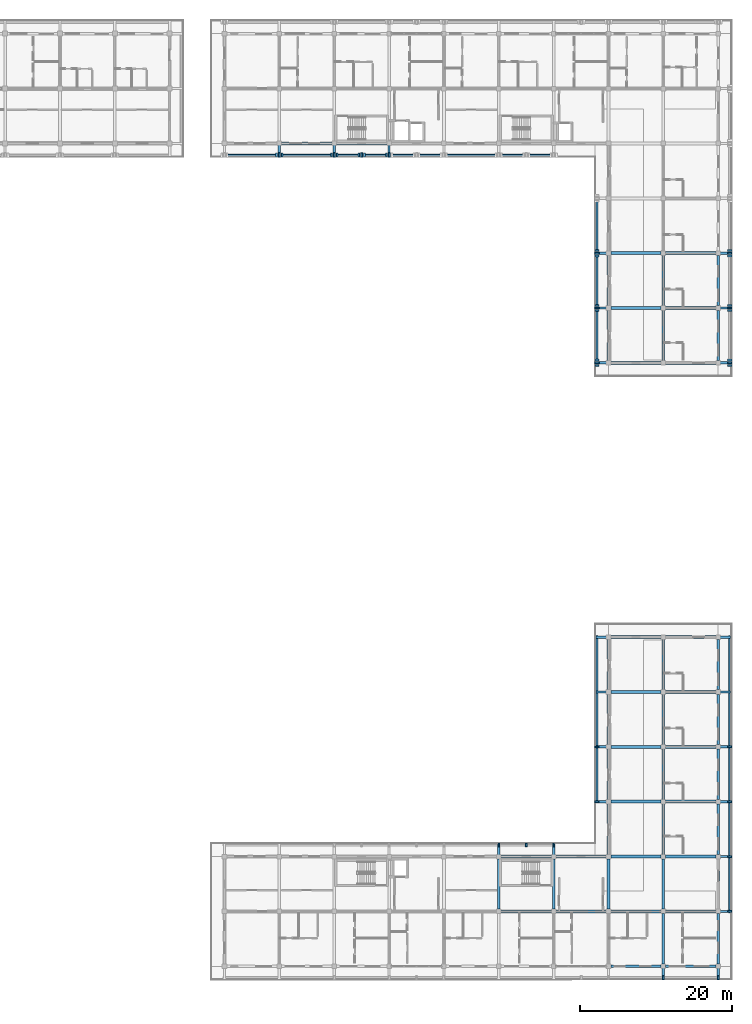
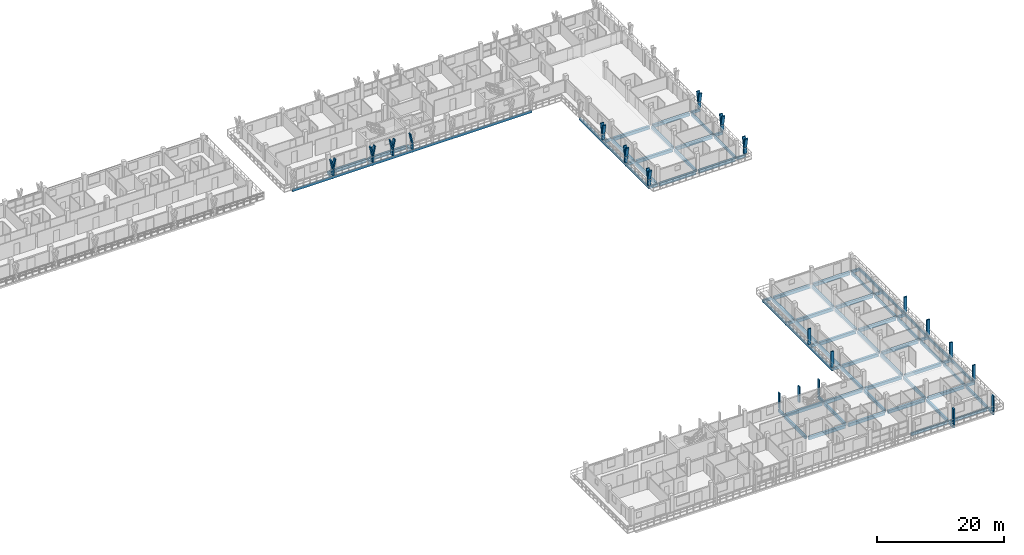
# One storey, part 29 of 78: 78 beams, 40 members.
"""IFC4 building model written with IfcOpenShell, lengths in metres."""

from ifc_helpers import new_model, si_unit, direction, frame, origin, origin_2d, place, context, subcontext, project, spatial, rectangle, extrude, material, material_profile, profile_set, type_object, element, save


model = new_model("IFC4")

# Units and contexts
model_context = context("Model", 3, precision=1e-05, world=origin(), true_north=direction((0.0, 1.0)))
body_context = subcontext(model_context, "Body", "Model", "MODEL_VIEW")
ifc_project = project(units=[si_unit("LENGTHUNIT", "METRE"), si_unit("AREAUNIT", "SQUARE_METRE"), si_unit("VOLUMEUNIT", "CUBIC_METRE"), si_unit("PLANEANGLEUNIT", "RADIAN"), si_unit("MASSUNIT", "GRAM", prefix="KILO")], contexts=[model_context])

# Site, building, storey
site_placement = place(None, origin())
site = spatial("IfcSite", under=ifc_project, at=site_placement, CompositionType="ELEMENT")
building_placement = place(site_placement, origin())
building = spatial("IfcBuilding", under=site, at=building_placement, Name="Suanplinth Sawtooth Commons", CompositionType="ELEMENT")
storey_placement = place(building_placement, frame((0.0, 0.0, 15.39990234375)))
storey = spatial("IfcBuildingStorey", under=building, at=storey_placement, Name="L04", CompositionType="ELEMENT", Elevation=15.39990234375)

# Beams
ifc_material_1 = material(Name="Precast concrete C40/50", Category="concrete")
ifc_material_profile_1 = material_profile(ifc_material_1, rectangle(XDim=0.39990234375, YDim=0.60009765625, at=origin_2d()), Name="PC-GDR 400x600")
ifc_profile_set_1 = profile_set([ifc_material_profile_1], Name="Precast concrete C40/50")
beam_type_1 = type_object("IfcBeamType", Name="B-05", PredefinedType="USERDEFINED", material=ifc_profile_set_1)
beam_1_placement = place(storey_placement, frame((129.89990234375, 108.0, -0.52001953125), z_axis=(1.0, 0.0, 0.0), x_axis=(0.0, 1.0, 0.0)))
element("IfcBeam", 1, at=beam_1_placement, inside=storey, type_object=beam_type_1, Name="BMX-L04-B-18-15", ObjectType="GIRDER", PredefinedType="USERDEFINED", context=body_context, shape_type="SweptSolid", body=[
    extrude(rectangle(XDim=0.39990234375, YDim=0.60009765625, at=origin_2d()), origin(), (0.0, 0.0, 1.0), 6.60009765625),
])
for number, where, z_axis, x_axis, name in (
    (2, (137.10009765625, 108.0, -0.52001953125), (1.0, 0.0, 0.0), (0.0, 1.0, 0.0), "BMX-L04-B-19-15"),
    (3, (173.10009765625, 79.199951171875, -0.52001953125), (1.0, 0.0, 0.0), (0.0, 1.0, 0.0), "BMX-L04-B-24-11"),
    (4, (173.10009765625, 86.39990234375, -0.52001953125), (1.0, 0.0, 0.0), (0.0, 1.0, 0.0), "BMX-L04-B-24-12"),
    (5, (173.10009765625, 93.60009765625, -0.52001953125), (1.0, 0.0, 0.0), (0.0, 1.0, 0.0), "BMX-L04-B-24-13"),
    (6, (180.300048828125, 79.199951171875, -0.52001953125), (1.0, 0.0, 0.0), (0.0, 1.0, 0.0), "BMX-L04-B-25-11"),
    (7, (180.300048828125, 86.39990234375, -0.52001953125), (1.0, 0.0, 0.0), (0.0, 1.0, 0.0), "BMX-L04-B-25-12"),
    (8, (180.300048828125, 93.60009765625, -0.52001953125), (1.0, 0.0, 0.0), (0.0, 1.0, 0.0), "BMX-L04-B-25-13"),
):
    element("IfcBeam", number, at=place(storey_placement, frame(where, z_axis=z_axis, x_axis=x_axis)), inside=storey, type_object=beam_type_1, Name=name, ObjectType="GIRDER", PredefinedType="USERDEFINED", context=body_context, shape_type="SweptSolid", body=[
        extrude(rectangle(XDim=0.39990234375, YDim=0.60009765625, at=origin_2d()), origin(), (0.0, 0.0, 1.0), 6.599853515625),
    ])
for number, where, z_axis, x_axis, name in (
    (9, (158.699951171875, 7.199951171875, -0.52001953125), (1.0, 0.0, 0.0), (0.0, 1.0, 0.0), "BMX-L04-C-22-1"),
    (10, (158.699951171875, 14.39990234375, -0.52001953125), (1.0, 0.0, 0.0), (0.0, 1.0, 0.0), "BMX-L04-C-22-2"),
    (11, (165.89990234375, 7.199951171875, -0.52001953125), (1.0, 0.0, 0.0), (0.0, 1.0, 0.0), "BMX-L04-C-23-1"),
    (12, (165.89990234375, 14.39990234375, -0.52001953125), (1.0, 0.0, 0.0), (0.0, 1.0, 0.0), "BMX-L04-C-23-2"),
):
    element("IfcBeam", number, at=place(storey_placement, frame(where, z_axis=z_axis, x_axis=x_axis)), inside=storey, type_object=beam_type_1, Name=name, ObjectType="GIRDER", PredefinedType="USERDEFINED", context=body_context, shape_type="SweptSolid", body=[
        extrude(rectangle(XDim=0.39990234375, YDim=0.60009765625, at=origin_2d()), origin(), (0.0, 0.0, 1.0), 6.60009765625),
    ])
for number, where, z_axis, x_axis, name in (
    (13, (173.10009765625, 7.199951171875, -0.52001953125), (1.0, 0.0, 0.0), (0.0, 1.0, 0.0), "BMX-L04-C-24-1"),
    (14, (173.10009765625, 14.39990234375, -0.52001953125), (1.0, 0.0, 0.0), (0.0, 1.0, 0.0), "BMX-L04-C-24-2"),
    (15, (173.10009765625, 21.60009765625, -0.52001953125), (1.0, 0.0, 0.0), (0.0, 1.0, 0.0), "BMX-L04-C-24-3"),
    (16, (173.10009765625, 28.800048828125, -0.52001953125), (1.0, 0.0, 0.0), (0.0, 1.0, 0.0), "BMX-L04-C-24-4"),
    (17, (173.10009765625, 36.0, -0.52001953125), (1.0, 0.0, 0.0), (0.0, 1.0, 0.0), "BMX-L04-C-24-5"),
    (18, (173.10009765625, 43.199951171875, -0.52001953125), (1.0, 0.0, 0.0), (0.0, 1.0, 0.0), "BMX-L04-C-24-6"),
    (19, (180.300048828125, 7.199951171875, -0.52001953125), (1.0, 0.0, 0.0), (0.0, 1.0, 0.0), "BMX-L04-C-25-1"),
    (20, (180.300048828125, 14.39990234375, -0.52001953125), (1.0, 0.0, 0.0), (0.0, 1.0, 0.0), "BMX-L04-C-25-2"),
    (21, (180.300048828125, 21.60009765625, -0.52001953125), (1.0, 0.0, 0.0), (0.0, 1.0, 0.0), "BMX-L04-C-25-3"),
    (22, (180.300048828125, 28.800048828125, -0.52001953125), (1.0, 0.0, 0.0), (0.0, 1.0, 0.0), "BMX-L04-C-25-4"),
    (23, (180.300048828125, 36.0, -0.52001953125), (1.0, 0.0, 0.0), (0.0, 1.0, 0.0), "BMX-L04-C-25-5"),
    (24, (180.300048828125, 43.199951171875, -0.52001953125), (1.0, 0.0, 0.0), (0.0, 1.0, 0.0), "BMX-L04-C-25-6"),
):
    element("IfcBeam", number, at=place(storey_placement, frame(where, z_axis=z_axis, x_axis=x_axis)), inside=storey, type_object=beam_type_1, Name=name, ObjectType="GIRDER", PredefinedType="USERDEFINED", context=body_context, shape_type="SweptSolid", body=[
        extrude(rectangle(XDim=0.39990234375, YDim=0.60009765625, at=origin_2d()), origin(), (0.0, 0.0, 1.0), 6.599853515625),
    ])
ifc_material_profile_2 = material_profile(ifc_material_1, rectangle(XDim=0.35009765625, YDim=0.550048828125, at=origin_2d()), Name="PC-BM 350x550")
ifc_profile_set_2 = profile_set([ifc_material_profile_2], Name="Precast concrete C40/50")
beam_type_2 = type_object("IfcBeamType", Name="B-06", PredefinedType="BEAM", material=ifc_profile_set_2)
for number, where, z_axis, x_axis, name in (
    (25, (172.800048828125, 79.5, -0.494873046875), (0.0, 1.0, 0.0), (-1.0, 0.0, 0.0), "BMY-L04-B-24-11"),
    (26, (172.800048828125, 86.699951171875, -0.494873046875), (0.0, 1.0, 0.0), (-1.0, 0.0, 0.0), "BMY-L04-B-24-12"),
    (27, (180.0, 79.5, -0.494873046875), (0.0, 1.0, 0.0), (-1.0, 0.0, 0.0), "BMY-L04-B-25-11"),
    (28, (180.0, 86.699951171875, -0.494873046875), (0.0, 1.0, 0.0), (-1.0, 0.0, 0.0), "BMY-L04-B-25-12"),
    (29, (158.39990234375, 7.5, -0.494873046875), (0.0, 1.0, 0.0), (-1.0, 0.0, 0.0), "BMY-L04-C-22-1"),
    (30, (165.60009765625, 7.5, -0.494873046875), (0.0, 1.0, 0.0), (-1.0, 0.0, 0.0), "BMY-L04-C-23-1"),
    (31, (172.800048828125, 7.5, -0.494873046875), (0.0, 1.0, 0.0), (-1.0, 0.0, 0.0), "BMY-L04-C-24-1"),
    (32, (172.800048828125, 14.699951171875, -0.494873046875), (0.0, 1.0, 0.0), (-1.0, 0.0, 0.0), "BMY-L04-C-24-2"),
    (33, (172.800048828125, 21.89990234375, -0.494873046875), (0.0, 1.0, 0.0), (-1.0, 0.0, 0.0), "BMY-L04-C-24-3"),
):
    element("IfcBeam", number, at=place(storey_placement, frame(where, z_axis=z_axis, x_axis=x_axis)), inside=storey, type_object=beam_type_2, Name=name, PredefinedType="BEAM", context=body_context, shape_type="SweptSolid", body=[
        extrude(rectangle(XDim=0.35009765625, YDim=0.550048828125, at=origin_2d()), origin(), (0.0, 0.0, 1.0), 6.60009765625),
    ])
for number, where, z_axis, x_axis, name in (
    (34, (172.800048828125, 29.10009765625, -0.494873046875), (0.0, 1.0, 0.0), (-1.0, 0.0, 0.0), "BMY-L04-C-24-4"),
    (35, (172.800048828125, 36.300048828125, -0.494873046875), (0.0, 1.0, 0.0), (-1.0, 0.0, 0.0), "BMY-L04-C-24-5"),
    (36, (180.0, 0.300048828125, -0.494873046875), (0.0, 1.0, 0.0), (-1.0, 0.0, 0.0), "BMY-L04-C-25-0"),
):
    element("IfcBeam", number, at=place(storey_placement, frame(where, z_axis=z_axis, x_axis=x_axis)), inside=storey, type_object=beam_type_2, Name=name, PredefinedType="BEAM", context=body_context, shape_type="SweptSolid", body=[
        extrude(rectangle(XDim=0.35009765625, YDim=0.550048828125, at=origin_2d()), origin(), (0.0, 0.0, 1.0), 6.599853515625),
    ])
for number, where, z_axis, x_axis, name in (
    (37, (180.0, 7.5, -0.494873046875), (0.0, 1.0, 0.0), (-1.0, 0.0, 0.0), "BMY-L04-C-25-1"),
    (38, (180.0, 14.699951171875, -0.494873046875), (0.0, 1.0, 0.0), (-1.0, 0.0, 0.0), "BMY-L04-C-25-2"),
    (39, (180.0, 21.89990234375, -0.494873046875), (0.0, 1.0, 0.0), (-1.0, 0.0, 0.0), "BMY-L04-C-25-3"),
):
    element("IfcBeam", number, at=place(storey_placement, frame(where, z_axis=z_axis, x_axis=x_axis)), inside=storey, type_object=beam_type_2, Name=name, PredefinedType="BEAM", context=body_context, shape_type="SweptSolid", body=[
        extrude(rectangle(XDim=0.35009765625, YDim=0.550048828125, at=origin_2d()), origin(), (0.0, 0.0, 1.0), 6.60009765625),
    ])
for number, where, z_axis, x_axis, name in (
    (40, (180.0, 29.10009765625, -0.494873046875), (0.0, 1.0, 0.0), (-1.0, 0.0, 0.0), "BMY-L04-C-25-4"),
    (41, (180.0, 36.300048828125, -0.494873046875), (0.0, 1.0, 0.0), (-1.0, 0.0, 0.0), "BMY-L04-C-25-5"),
):
    element("IfcBeam", number, at=place(storey_placement, frame(where, z_axis=z_axis, x_axis=x_axis)), inside=storey, type_object=beam_type_2, Name=name, PredefinedType="BEAM", context=body_context, shape_type="SweptSolid", body=[
        extrude(rectangle(XDim=0.35009765625, YDim=0.550048828125, at=origin_2d()), origin(), (0.0, 0.0, 1.0), 6.599853515625),
    ])
ifc_material_profile_3 = material_profile(ifc_material_1, rectangle(XDim=0.300048828125, YDim=0.5, at=origin_2d()), Name="PC-BM 300x500")
ifc_profile_set_3 = profile_set([ifc_material_profile_3], Name="Precast concrete C40/50")
beam_type_3 = type_object("IfcBeamType", Name="B-07", PredefinedType="BEAM", material=ifc_profile_set_3)
for number, where, z_axis, x_axis, name in (
    (42, (187.199951171875, 79.199951171875, -0.429931640625), (1.0, 0.0, 0.0), (0.0, 1.0, 0.0), "Balcony Outrigger L04-B-E-11"),
    (43, (187.199951171875, 86.39990234375, -0.429931640625), (1.0, 0.0, 0.0), (0.0, 1.0, 0.0), "Balcony Outrigger L04-B-E-12"),
    (44, (187.199951171875, 93.60009765625, -0.429931640625), (1.0, 0.0, 0.0), (0.0, 1.0, 0.0), "Balcony Outrigger L04-B-E-13"),
):
    element("IfcBeam", number, at=place(storey_placement, frame(where, z_axis=z_axis, x_axis=x_axis)), inside=storey, type_object=beam_type_3, Name=name, PredefinedType="BEAM", context=body_context, shape_type="SweptSolid", body=[
        extrude(rectangle(XDim=0.300048828125, YDim=0.5, at=origin_2d()), origin(), (0.0, 0.0, 1.0), 1.64013671875),
    ])
for number, where, z_axis, x_axis, name in (
    (45, (129.60009765625, 108.0, -0.4248046875), (0.0, -1.0, 0.0), (1.0, 0.0, 0.0), "Balcony Outrigger L04-B-SC-18"),
    (46, (136.800048828125, 108.0, -0.4248046875), (0.0, -1.0, 0.0), (1.0, 0.0, 0.0), "Balcony Outrigger L04-B-SC-19"),
    (47, (144.0, 108.0, -0.4248046875), (0.0, -1.0, 0.0), (1.0, 0.0, 0.0), "Balcony Outrigger L04-B-SC-20"),
):
    element("IfcBeam", number, at=place(storey_placement, frame(where, z_axis=z_axis, x_axis=x_axis)), inside=storey, type_object=beam_type_3, Name=name, PredefinedType="BEAM", context=body_context, shape_type="SweptSolid", body=[
        extrude(rectangle(XDim=0.300048828125, YDim=0.5, at=origin_2d()), origin(), (0.0, 0.0, 1.0), 1.639892578125),
    ])
for number, where, z_axis, x_axis, name in (
    (48, (172.800048828125, 79.199951171875, -0.4248046875), (-1.0, 0.0, 0.0), (0.0, -1.0, 0.0), "Balcony Outrigger L04-B-WC-11"),
    (49, (172.800048828125, 86.39990234375, -0.4248046875), (-1.0, 0.0, 0.0), (0.0, -1.0, 0.0), "Balcony Outrigger L04-B-WC-12"),
    (50, (172.800048828125, 93.60009765625, -0.4248046875), (-1.0, 0.0, 0.0), (0.0, -1.0, 0.0), "Balcony Outrigger L04-B-WC-13"),
):
    element("IfcBeam", number, at=place(storey_placement, frame(where, z_axis=z_axis, x_axis=x_axis)), inside=storey, type_object=beam_type_3, Name=name, PredefinedType="BEAM", context=body_context, shape_type="SweptSolid", body=[
        extrude(rectangle(XDim=0.300048828125, YDim=0.5, at=origin_2d()), origin(), (0.0, 0.0, 1.0), 1.64013671875),
    ])
for number, where, z_axis, x_axis, name in (
    (51, (180.0, 0.0, -0.429931640625), (0.0, -1.0, 0.0), (1.0, 0.0, 0.0), "Balcony Outrigger L04-C-S-25"),
    (52, (187.199951171875, 0.0, -0.429931640625), (0.0, -1.0, 0.0), (1.0, 0.0, 0.0), "Balcony Outrigger L04-C-S-26"),
):
    element("IfcBeam", number, at=place(storey_placement, frame(where, z_axis=z_axis, x_axis=x_axis)), inside=storey, type_object=beam_type_3, Name=name, PredefinedType="BEAM", context=body_context, shape_type="SweptSolid", body=[
        extrude(rectangle(XDim=0.300048828125, YDim=0.5, at=origin_2d()), origin(), (0.0, 0.0, 1.0), 1.639892578125),
    ])
for number, where, z_axis, x_axis, name in (
    (53, (187.199951171875, 7.199951171875, -0.429931640625), (1.0, 0.0, 0.0), (0.0, 1.0, 0.0), "Balcony Outrigger L04-C-E-1"),
    (54, (187.199951171875, 14.39990234375, -0.429931640625), (1.0, 0.0, 0.0), (0.0, 1.0, 0.0), "Balcony Outrigger L04-C-E-2"),
    (55, (187.199951171875, 21.60009765625, -0.429931640625), (1.0, 0.0, 0.0), (0.0, 1.0, 0.0), "Balcony Outrigger L04-C-E-3"),
    (56, (187.199951171875, 28.800048828125, -0.429931640625), (1.0, 0.0, 0.0), (0.0, 1.0, 0.0), "Balcony Outrigger L04-C-E-4"),
    (57, (187.199951171875, 36.0, -0.429931640625), (1.0, 0.0, 0.0), (0.0, 1.0, 0.0), "Balcony Outrigger L04-C-E-5"),
    (58, (187.199951171875, 43.199951171875, -0.429931640625), (1.0, 0.0, 0.0), (0.0, 1.0, 0.0), "Balcony Outrigger L04-C-E-6"),
    (59, (158.39990234375, 14.39990234375, -0.4248046875), (0.0, 1.0, 0.0), (-1.0, 0.0, 0.0), "Balcony Outrigger L04-C-NC-22"),
    (60, (165.60009765625, 14.39990234375, -0.4248046875), (0.0, 1.0, 0.0), (-1.0, 0.0, 0.0), "Balcony Outrigger L04-C-NC-23"),
    (61, (172.800048828125, 21.60009765625, -0.4248046875), (-1.0, 0.0, 0.0), (0.0, -1.0, 0.0), "Balcony Outrigger L04-C-WC-3"),
    (62, (172.800048828125, 28.800048828125, -0.4248046875), (-1.0, 0.0, 0.0), (0.0, -1.0, 0.0), "Balcony Outrigger L04-C-WC-4"),
    (63, (172.800048828125, 36.0, -0.4248046875), (-1.0, 0.0, 0.0), (0.0, -1.0, 0.0), "Balcony Outrigger L04-C-WC-5"),
    (64, (172.800048828125, 43.199951171875, -0.4248046875), (-1.0, 0.0, 0.0), (0.0, -1.0, 0.0), "Balcony Outrigger L04-C-WC-6"),
):
    element("IfcBeam", number, at=place(storey_placement, frame(where, z_axis=z_axis, x_axis=x_axis)), inside=storey, type_object=beam_type_3, Name=name, PredefinedType="BEAM", context=body_context, shape_type="SweptSolid", body=[
        extrude(rectangle(XDim=0.300048828125, YDim=0.5, at=origin_2d()), origin(), (0.0, 0.0, 1.0), 1.64013671875),
    ])
ifc_material_profile_4 = material_profile(ifc_material_1, rectangle(XDim=0.280029296875, YDim=0.52001953125, at=origin_2d()), Name="PC-SP 280x520")
ifc_profile_set_4 = profile_set([ifc_material_profile_4], Name="Precast concrete C40/50")
beam_type_4 = type_object("IfcBeamType", Name="B-08", PredefinedType="SPANDREL", material=ifc_profile_set_4)
for number, where, z_axis, x_axis, name in (
    (65, (187.199951171875, 79.5, -0.47998046875), (0.0, 1.0, 0.0), (-1.0, 0.0, 0.0), "BMY-L04-B-26-11"),
    (66, (187.199951171875, 86.699951171875, -0.47998046875), (0.0, 1.0, 0.0), (-1.0, 0.0, 0.0), "BMY-L04-B-26-12"),
):
    element("IfcBeam", number, at=place(storey_placement, frame(where, z_axis=z_axis, x_axis=x_axis)), inside=storey, type_object=beam_type_4, Name=name, PredefinedType="SPANDREL", context=body_context, shape_type="SweptSolid", body=[
        extrude(rectangle(XDim=0.280029296875, YDim=0.52001953125, at=origin_2d()), origin(), (0.0, 0.0, 1.0), 6.60009765625),
    ])
for number, where, z_axis, x_axis, name in (
    (67, (173.10009765625, 0.0, -0.47998046875), (1.0, 0.0, 0.0), (0.0, 1.0, 0.0), "BMX-L04-C-24-0"),
    (68, (180.300048828125, 0.0, -0.47998046875), (1.0, 0.0, 0.0), (0.0, 1.0, 0.0), "BMX-L04-C-25-0"),
    (69, (187.199951171875, 0.300048828125, -0.47998046875), (0.0, 1.0, 0.0), (-1.0, 0.0, 0.0), "BMY-L04-C-26-0"),
):
    element("IfcBeam", number, at=place(storey_placement, frame(where, z_axis=z_axis, x_axis=x_axis)), inside=storey, type_object=beam_type_4, Name=name, PredefinedType="SPANDREL", context=body_context, shape_type="SweptSolid", body=[
        extrude(rectangle(XDim=0.280029296875, YDim=0.52001953125, at=origin_2d()), origin(), (0.0, 0.0, 1.0), 6.599853515625),
    ])
for number, where, z_axis, x_axis, name in (
    (70, (187.199951171875, 7.5, -0.47998046875), (0.0, 1.0, 0.0), (-1.0, 0.0, 0.0), "BMY-L04-C-26-1"),
    (71, (187.199951171875, 14.699951171875, -0.47998046875), (0.0, 1.0, 0.0), (-1.0, 0.0, 0.0), "BMY-L04-C-26-2"),
    (72, (187.199951171875, 21.89990234375, -0.47998046875), (0.0, 1.0, 0.0), (-1.0, 0.0, 0.0), "BMY-L04-C-26-3"),
):
    element("IfcBeam", number, at=place(storey_placement, frame(where, z_axis=z_axis, x_axis=x_axis)), inside=storey, type_object=beam_type_4, Name=name, PredefinedType="SPANDREL", context=body_context, shape_type="SweptSolid", body=[
        extrude(rectangle(XDim=0.280029296875, YDim=0.52001953125, at=origin_2d()), origin(), (0.0, 0.0, 1.0), 6.60009765625),
    ])
for number, where, z_axis, x_axis, name in (
    (73, (187.199951171875, 29.10009765625, -0.47998046875), (0.0, 1.0, 0.0), (-1.0, 0.0, 0.0), "BMY-L04-C-26-4"),
    (74, (187.199951171875, 36.300048828125, -0.47998046875), (0.0, 1.0, 0.0), (-1.0, 0.0, 0.0), "BMY-L04-C-26-5"),
):
    element("IfcBeam", number, at=place(storey_placement, frame(where, z_axis=z_axis, x_axis=x_axis)), inside=storey, type_object=beam_type_4, Name=name, PredefinedType="SPANDREL", context=body_context, shape_type="SweptSolid", body=[
        extrude(rectangle(XDim=0.280029296875, YDim=0.52001953125, at=origin_2d()), origin(), (0.0, 0.0, 1.0), 6.599853515625),
    ])
ifc_material_profile_5 = material_profile(ifc_material_1, rectangle(XDim=0.25, YDim=0.449951171875, at=origin_2d()), Name="PC-SP 250x450")
ifc_profile_set_5 = profile_set([ifc_material_profile_5], Name="Precast concrete C40/50")
beam_type_5 = type_object("IfcBeamType", Name="B-09", PredefinedType="SPANDREL", material=ifc_profile_set_5)
beam_2_placement = place(storey_placement, frame((122.25, 106.47998046875, -0.39990234375), z_axis=(1.0, 0.0, 0.0), x_axis=(0.0, 1.0, 0.0)))
element("IfcBeam", 75, at=beam_2_placement, inside=storey, type_object=beam_type_5, Name="Balcony Edge Fascia L04-B-SC", PredefinedType="SPANDREL", context=body_context, shape_type="SweptSolid", body=[
    extrude(rectangle(XDim=0.25, YDim=0.449951171875, at=origin_2d()), origin(), (0.0, 0.0, 1.0), 43.5),
])
beam_3_placement = place(storey_placement, frame((171.280029296875, 79.050048828125, -0.39990234375), z_axis=(0.0, 1.0, 0.0), x_axis=(-1.0, 0.0, 0.0)))
element("IfcBeam", 76, at=beam_3_placement, inside=storey, type_object=beam_type_5, Name="Balcony Edge Fascia L04-B-WC", PredefinedType="SPANDREL", context=body_context, shape_type="SweptSolid", body=[
    extrude(rectangle(XDim=0.25, YDim=0.449951171875, at=origin_2d()), origin(), (0.0, 0.0, 1.0), 21.89990234375),
])
beam_4_placement = place(storey_placement, frame((188.719970703125, 7.050048828125, -0.40478515625), z_axis=(0.0, 1.0, 0.0), x_axis=(-1.0, 0.0, 0.0)))
element("IfcBeam", 77, at=beam_4_placement, inside=storey, type_object=beam_type_5, Name="Balcony Edge Fascia L04-C-E", PredefinedType="SPANDREL", context=body_context, shape_type="SweptSolid", body=[
    extrude(rectangle(XDim=0.25, YDim=0.449951171875, at=origin_2d()), origin(), (0.0, 0.0, 1.0), 36.300048828125),
])
beam_5_placement = place(storey_placement, frame((171.280029296875, 21.449951171875, -0.39990234375), z_axis=(0.0, 1.0, 0.0), x_axis=(-1.0, 0.0, 0.0)))
element("IfcBeam", 78, at=beam_5_placement, inside=storey, type_object=beam_type_5, Name="Balcony Edge Fascia L04-C-WC", PredefinedType="SPANDREL", context=body_context, shape_type="SweptSolid", body=[
    extrude(rectangle(XDim=0.25, YDim=0.449951171875, at=origin_2d()), origin(), (0.0, 0.0, 1.0), 21.900146484375),
])

# Members
ifc_material_2 = material(Name="Pigmented precast concrete C40/50", Category="concrete")
ifc_material_profile_6 = material_profile(ifc_material_2, rectangle(XDim=0.260009765625, YDim=0.550048828125, at=origin_2d()), Name="PC-FIN 260x550")
ifc_profile_set_6 = profile_set([ifc_material_profile_6], Name="Pigmented precast concrete C40/50")
member_type_1 = type_object("IfcMemberType", Name="M-09", PredefinedType="USERDEFINED", material=ifc_profile_set_6)
for number, where, z_axis, x_axis, name in (
    (79, (188.719970703125, 79.199951171875, 0.0), (0.0, 0.0, 1.0), (0.0, 1.0, 0.0), "Y-Blade Stem L04-B-E-10"),
    (80, (188.719970703125, 86.39990234375, 0.0), (0.0, 0.0, 1.0), (0.0, 1.0, 0.0), "Y-Blade Stem L04-B-E-11"),
    (81, (188.719970703125, 93.60009765625, 0.0), (0.0, 0.0, 1.0), (0.0, 1.0, 0.0), "Y-Blade Stem L04-B-E-12"),
    (82, (129.60009765625, 106.47998046875, 0.0), (0.0, 0.0, 1.0), (1.0, 0.0, 0.0), "Y-Blade Stem L04-B-SC-17"),
    (83, (136.800048828125, 106.47998046875, 0.0), (0.0, 0.0, 1.0), (1.0, 0.0, 0.0), "Y-Blade Stem L04-B-SC-18"),
    (84, (140.39990234375, 106.47998046875, 0.0), (0.0, 0.0, 1.0), (1.0, 0.0, 0.0), "Y-Blade Stem L04-B-SC-19"),
    (85, (144.0, 106.47998046875, 0.0), (0.0, 0.0, 1.0), (1.0, 0.0, 0.0), "Y-Blade Stem L04-B-SC-20"),
    (86, (171.280029296875, 79.199951171875, 0.0), (0.0, 0.0, 1.0), (0.0, 1.0, 0.0), "Y-Blade Stem L04-B-WC-26"),
    (87, (171.280029296875, 86.39990234375, 0.0), (0.0, 0.0, 1.0), (0.0, 1.0, 0.0), "Y-Blade Stem L04-B-WC-27"),
    (88, (171.280029296875, 93.60009765625, 0.0), (0.0, 0.0, 1.0), (0.0, 1.0, 0.0), "Y-Blade Stem L04-B-WC-28"),
):
    element("IfcMember", number, at=place(storey_placement, frame(where, z_axis=z_axis, x_axis=x_axis)), inside=storey, type_object=member_type_1, Name=name, ObjectType="SHADING FIN", PredefinedType="USERDEFINED", context=body_context, shape_type="SweptSolid", body=[
        extrude(rectangle(XDim=0.260009765625, YDim=0.550048828125, at=origin_2d()), origin(), (0.0, 0.0, 1.0), 1.170166015625),
    ])
ifc_material_profile_7 = material_profile(ifc_material_2, rectangle(XDim=0.219970703125, YDim=0.550048828125, at=origin_2d()), Name="PC-FIN 220x550")
ifc_profile_set_7 = profile_set([ifc_material_profile_7], Name="Pigmented precast concrete C40/50")
member_type_2 = type_object("IfcMemberType", Name="M-10", PredefinedType="USERDEFINED", material=ifc_profile_set_7)
member_1_placement = place(storey_placement, frame((188.719970703125, 79.199951171875, 1.130126953125), z_axis=(0.0, -0.196309979414, 0.980541886909), x_axis=(0.0, 0.980541886909, 0.196309979414)))
element("IfcMember", 89, at=member_1_placement, inside=storey, type_object=member_type_2, Name="Y-Blade Arm L L04-B-E-10", ObjectType="SHADING FIN", PredefinedType="USERDEFINED", context=body_context, shape_type="SweptSolid", body=[
    extrude(rectangle(XDim=0.219970703125, YDim=0.550048828125, at=origin_2d()), origin(), (0.0, 0.0, 1.0), 1.9375),
])
member_2_placement = place(storey_placement, frame((188.719970703125, 79.199951171875, 1.130126953125), z_axis=(0.0, 0.196431120402, 0.980517626021), x_axis=(0.0, -0.980517626021, 0.196431120402)))
element("IfcMember", 90, at=member_2_placement, inside=storey, type_object=member_type_2, Name="Y-Blade Arm R L04-B-E-10", ObjectType="SHADING FIN", PredefinedType="USERDEFINED", context=body_context, shape_type="SweptSolid", body=[
    extrude(rectangle(XDim=0.219970703125, YDim=0.550048828125, at=origin_2d()), origin(), (0.0, 0.0, 1.0), 1.937744140625),
])
member_3_placement = place(storey_placement, frame((188.719970703125, 86.39990234375, 1.130126953125), z_axis=(0.0, -0.196309979414, 0.980541886909), x_axis=(0.0, 0.980541886909, 0.196309979414)))
element("IfcMember", 91, at=member_3_placement, inside=storey, type_object=member_type_2, Name="Y-Blade Arm L L04-B-E-11", ObjectType="SHADING FIN", PredefinedType="USERDEFINED", context=body_context, shape_type="SweptSolid", body=[
    extrude(rectangle(XDim=0.219970703125, YDim=0.550048828125, at=origin_2d()), origin(), (0.0, 0.0, 1.0), 1.9375),
])
for number, where, z_axis, x_axis, name in (
    (92, (188.719970703125, 86.39990234375, 1.130126953125), (0.0, 0.196431120402, 0.980517626021), (0.0, -0.980517626021, 0.196431120402), "Y-Blade Arm R L04-B-E-11"),
    (93, (188.719970703125, 93.60009765625, 1.130126953125), (0.0, -0.196431120402, 0.980517626021), (0.0, 0.980517626021, 0.196431120402), "Y-Blade Arm L L04-B-E-12"),
):
    element("IfcMember", number, at=place(storey_placement, frame(where, z_axis=z_axis, x_axis=x_axis)), inside=storey, type_object=member_type_2, Name=name, ObjectType="SHADING FIN", PredefinedType="USERDEFINED", context=body_context, shape_type="SweptSolid", body=[
        extrude(rectangle(XDim=0.219970703125, YDim=0.550048828125, at=origin_2d()), origin(), (0.0, 0.0, 1.0), 1.937744140625),
    ])
member_4_placement = place(storey_placement, frame((188.719970703125, 93.60009765625, 1.130126953125), z_axis=(0.0, 0.196309979414, 0.980541886909), x_axis=(0.0, -0.980541886909, 0.196309979414)))
element("IfcMember", 94, at=member_4_placement, inside=storey, type_object=member_type_2, Name="Y-Blade Arm R L04-B-E-12", ObjectType="SHADING FIN", PredefinedType="USERDEFINED", context=body_context, shape_type="SweptSolid", body=[
    extrude(rectangle(XDim=0.219970703125, YDim=0.550048828125, at=origin_2d()), origin(), (0.0, 0.0, 1.0), 1.9375),
])
member_5_placement = place(storey_placement, frame((129.60009765625, 106.47998046875, 1.130126953125), z_axis=(-0.196431120402, 0.0, 0.980517626021), x_axis=(0.980517626021, 0.0, 0.196431120402)))
element("IfcMember", 95, at=member_5_placement, inside=storey, type_object=member_type_2, Name="Y-Blade Arm L L04-B-SC-17", ObjectType="SHADING FIN", PredefinedType="USERDEFINED", context=body_context, shape_type="SweptSolid", body=[
    extrude(rectangle(XDim=0.219970703125, YDim=0.550048828125, at=origin_2d()), origin(), (0.0, 0.0, 1.0), 1.937744140625),
])
member_6_placement = place(storey_placement, frame((129.60009765625, 106.47998046875, 1.130126953125), z_axis=(0.196309979414, 0.0, 0.980541886909), x_axis=(-0.980541886909, 0.0, 0.196309979414)))
element("IfcMember", 96, at=member_6_placement, inside=storey, type_object=member_type_2, Name="Y-Blade Arm R L04-B-SC-17", ObjectType="SHADING FIN", PredefinedType="USERDEFINED", context=body_context, shape_type="SweptSolid", body=[
    extrude(rectangle(XDim=0.219970703125, YDim=0.550048828125, at=origin_2d()), origin(), (0.0, 0.0, 1.0), 1.9375),
])
member_7_placement = place(storey_placement, frame((136.800048828125, 106.47998046875, 1.130126953125), z_axis=(-0.196431120402, 0.0, 0.980517626021), x_axis=(0.980517626021, 0.0, 0.196431120402)))
element("IfcMember", 97, at=member_7_placement, inside=storey, type_object=member_type_2, Name="Y-Blade Arm L L04-B-SC-18", ObjectType="SHADING FIN", PredefinedType="USERDEFINED", context=body_context, shape_type="SweptSolid", body=[
    extrude(rectangle(XDim=0.219970703125, YDim=0.550048828125, at=origin_2d()), origin(), (0.0, 0.0, 1.0), 1.937744140625),
])
for number, where, z_axis, x_axis, name in (
    (98, (136.800048828125, 106.47998046875, 1.130126953125), (0.196309979414, 0.0, 0.980541886909), (-0.980541886909, 0.0, 0.196309979414), "Y-Blade Arm R L04-B-SC-18"),
    (99, (140.39990234375, 106.47998046875, 1.130126953125), (-0.196309979414, 0.0, 0.980541886909), (0.980541886909, 0.0, 0.196309979414), "Y-Blade Arm L L04-B-SC-19"),
):
    element("IfcMember", number, at=place(storey_placement, frame(where, z_axis=z_axis, x_axis=x_axis)), inside=storey, type_object=member_type_2, Name=name, ObjectType="SHADING FIN", PredefinedType="USERDEFINED", context=body_context, shape_type="SweptSolid", body=[
        extrude(rectangle(XDim=0.219970703125, YDim=0.550048828125, at=origin_2d()), origin(), (0.0, 0.0, 1.0), 1.9375),
    ])
for number, where, z_axis, x_axis, name in (
    (100, (140.39990234375, 106.47998046875, 1.130126953125), (0.196431120402, 0.0, 0.980517626021), (-0.980517626021, 0.0, 0.196431120402), "Y-Blade Arm R L04-B-SC-19"),
    (101, (144.0, 106.47998046875, 1.130126953125), (-0.196431120402, 0.0, 0.980517626021), (0.980517626021, 0.0, 0.196431120402), "Y-Blade Arm L L04-B-SC-20"),
):
    element("IfcMember", number, at=place(storey_placement, frame(where, z_axis=z_axis, x_axis=x_axis)), inside=storey, type_object=member_type_2, Name=name, ObjectType="SHADING FIN", PredefinedType="USERDEFINED", context=body_context, shape_type="SweptSolid", body=[
        extrude(rectangle(XDim=0.219970703125, YDim=0.550048828125, at=origin_2d()), origin(), (0.0, 0.0, 1.0), 1.937744140625),
    ])
member_8_placement = place(storey_placement, frame((171.280029296875, 79.199951171875, 1.130126953125), z_axis=(0.0, -0.196309979414, 0.980541886909), x_axis=(0.0, 0.980541886909, 0.196309979414)))
element("IfcMember", 102, at=member_8_placement, inside=storey, type_object=member_type_2, Name="Y-Blade Arm L L04-B-WC-26", ObjectType="SHADING FIN", PredefinedType="USERDEFINED", context=body_context, shape_type="SweptSolid", body=[
    extrude(rectangle(XDim=0.219970703125, YDim=0.550048828125, at=origin_2d()), origin(), (0.0, 0.0, 1.0), 1.9375),
])
member_9_placement = place(storey_placement, frame((171.280029296875, 79.199951171875, 1.130126953125), z_axis=(0.0, 0.196431120402, 0.980517626021), x_axis=(0.0, -0.980517626021, 0.196431120402)))
element("IfcMember", 103, at=member_9_placement, inside=storey, type_object=member_type_2, Name="Y-Blade Arm R L04-B-WC-26", ObjectType="SHADING FIN", PredefinedType="USERDEFINED", context=body_context, shape_type="SweptSolid", body=[
    extrude(rectangle(XDim=0.219970703125, YDim=0.550048828125, at=origin_2d()), origin(), (0.0, 0.0, 1.0), 1.937744140625),
])
member_10_placement = place(storey_placement, frame((171.280029296875, 86.39990234375, 1.130126953125), z_axis=(0.0, -0.196309979414, 0.980541886909), x_axis=(0.0, 0.980541886909, 0.196309979414)))
element("IfcMember", 104, at=member_10_placement, inside=storey, type_object=member_type_2, Name="Y-Blade Arm L L04-B-WC-27", ObjectType="SHADING FIN", PredefinedType="USERDEFINED", context=body_context, shape_type="SweptSolid", body=[
    extrude(rectangle(XDim=0.219970703125, YDim=0.550048828125, at=origin_2d()), origin(), (0.0, 0.0, 1.0), 1.9375),
])
for number, where, z_axis, x_axis, name in (
    (105, (171.280029296875, 86.39990234375, 1.130126953125), (0.0, 0.196431120402, 0.980517626021), (0.0, -0.980517626021, 0.196431120402), "Y-Blade Arm R L04-B-WC-27"),
    (106, (171.280029296875, 93.60009765625, 1.130126953125), (0.0, -0.196431120402, 0.980517626021), (0.0, 0.980517626021, 0.196431120402), "Y-Blade Arm L L04-B-WC-28"),
):
    element("IfcMember", number, at=place(storey_placement, frame(where, z_axis=z_axis, x_axis=x_axis)), inside=storey, type_object=member_type_2, Name=name, ObjectType="SHADING FIN", PredefinedType="USERDEFINED", context=body_context, shape_type="SweptSolid", body=[
        extrude(rectangle(XDim=0.219970703125, YDim=0.550048828125, at=origin_2d()), origin(), (0.0, 0.0, 1.0), 1.937744140625),
    ])
member_11_placement = place(storey_placement, frame((171.280029296875, 93.60009765625, 1.130126953125), z_axis=(0.0, 0.196309979414, 0.980541886909), x_axis=(0.0, -0.980541886909, 0.196309979414)))
element("IfcMember", 107, at=member_11_placement, inside=storey, type_object=member_type_2, Name="Y-Blade Arm R L04-B-WC-28", ObjectType="SHADING FIN", PredefinedType="USERDEFINED", context=body_context, shape_type="SweptSolid", body=[
    extrude(rectangle(XDim=0.219970703125, YDim=0.550048828125, at=origin_2d()), origin(), (0.0, 0.0, 1.0), 1.9375),
])
ifc_material_profile_8 = material_profile(ifc_material_2, rectangle(XDim=0.25, YDim=0.5400390625, at=origin_2d()), Name="PC-FIN 250x540")
ifc_profile_set_8 = profile_set([ifc_material_profile_8], Name="Pigmented precast concrete C40/50")
member_type_3 = type_object("IfcMemberType", Name="M-11", PredefinedType="USERDEFINED", material=ifc_profile_set_8)
for number, where, z_axis, x_axis, name in (
    (108, (180.0, -1.52001953125, 0.0), (0.0, 0.0, 1.0), (1.0, 0.0, 0.0), "Upright Solar Blade L04-C-S-07"),
    (109, (187.199951171875, -1.52001953125, 0.0), (0.0, 0.0, 1.0), (1.0, 0.0, 0.0), "Upright Solar Blade L04-C-S-08"),
    (110, (188.719970703125, 7.199951171875, 0.0), (0.0, 0.0, 1.0), (0.0, 1.0, 0.0), "Upright Solar Blade L04-C-E-09"),
    (111, (188.719970703125, 14.39990234375, 0.0), (0.0, 0.0, 1.0), (0.0, 1.0, 0.0), "Upright Solar Blade L04-C-E-10"),
    (112, (188.719970703125, 21.60009765625, 0.0), (0.0, 0.0, 1.0), (0.0, 1.0, 0.0), "Upright Solar Blade L04-C-E-11"),
    (113, (188.719970703125, 28.800048828125, 0.0), (0.0, 0.0, 1.0), (0.0, 1.0, 0.0), "Upright Solar Blade L04-C-E-12"),
):
    element("IfcMember", number, at=place(storey_placement, frame(where, z_axis=z_axis, x_axis=x_axis)), inside=storey, type_object=member_type_3, Name=name, ObjectType="SHADING FIN", PredefinedType="USERDEFINED", context=body_context, shape_type="SweptSolid", body=[
        extrude(rectangle(XDim=0.25, YDim=0.5400390625, at=origin_2d()), origin(), (0.0, 0.0, 1.0), 3.030029296875),
    ])
ifc_material_profile_9 = material_profile(ifc_material_2, rectangle(XDim=0.2099609375, YDim=0.52001953125, at=origin_2d()), Name="PC-FIN 210x520")
ifc_profile_set_9 = profile_set([ifc_material_profile_9], Name="Pigmented precast concrete C40/50")
member_type_4 = type_object("IfcMemberType", Name="M-12", PredefinedType="USERDEFINED", material=ifc_profile_set_9)
for number, where, z_axis, x_axis, name in (
    (114, (158.39990234375, 15.919921875, 0.0), (0.0, 0.0, 1.0), (1.0, 0.0, 0.0), "Upright Solar Blade L04-C-NC-18"),
    (115, (162.0, 15.919921875, 0.0), (0.0, 0.0, 1.0), (1.0, 0.0, 0.0), "Upright Solar Blade L04-C-NC-19"),
    (116, (165.60009765625, 15.919921875, 0.0), (0.0, 0.0, 1.0), (1.0, 0.0, 0.0), "Upright Solar Blade L04-C-NC-20"),
    (117, (171.280029296875, 21.60009765625, 0.0), (0.0, 0.0, 1.0), (0.0, 1.0, 0.0), "Upright Solar Blade L04-C-WC-21"),
    (118, (171.280029296875, 28.800048828125, 0.0), (0.0, 0.0, 1.0), (0.0, 1.0, 0.0), "Upright Solar Blade L04-C-WC-22"),
):
    element("IfcMember", number, at=place(storey_placement, frame(where, z_axis=z_axis, x_axis=x_axis)), inside=storey, type_object=member_type_4, Name=name, ObjectType="SHADING FIN", PredefinedType="USERDEFINED", context=body_context, shape_type="SweptSolid", body=[
        extrude(rectangle(XDim=0.2099609375, YDim=0.52001953125, at=origin_2d()), origin(), (0.0, 0.0, 1.0), 3.030029296875),
    ])

save(model, "model.ifc")
